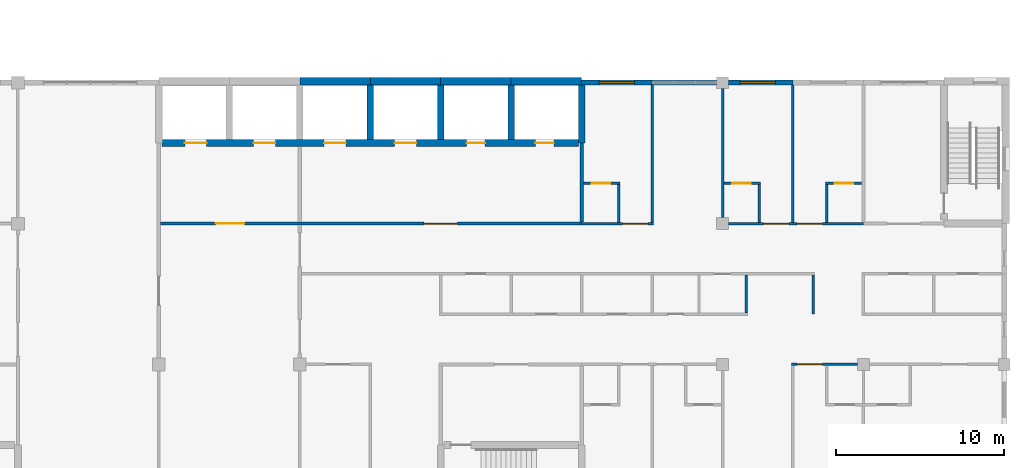
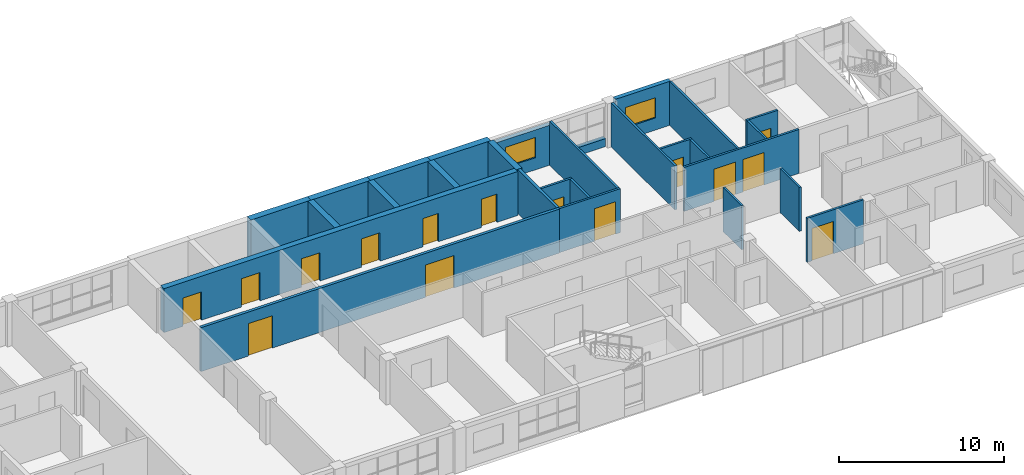
# One storey, part 36 of 45: 28 walls, 15 doors, 2 windows, 17 openings.
"""IFC4 building model written with IfcOpenShell, lengths in metres."""

from ifc_helpers import new_model, si_unit, direction, frame, frame_2d, origin, place, context, subcontext, project, spatial, rectangle, extrude, material, layer, layer_set, type_object, element, fill, save


model = new_model("IFC4")

# Units and contexts
model_context = context("Model", 3, precision=1e-05, world=origin(), true_north=direction((0.0, 1.0)))
body_context = subcontext(model_context, "Body", "Model", "MODEL_VIEW")
ifc_project = project(units=[si_unit("LENGTHUNIT", "METRE"), si_unit("AREAUNIT", "SQUARE_METRE"), si_unit("VOLUMEUNIT", "CUBIC_METRE"), si_unit("PLANEANGLEUNIT", "RADIAN"), si_unit("MASSUNIT", "GRAM", prefix="KILO")], contexts=[model_context])

# Site, building, storey
site_placement = place(None, origin())
site = spatial("IfcSite", under=ifc_project, at=site_placement, CompositionType="ELEMENT")
building_placement = place(site_placement, origin())
building = spatial("IfcBuilding", under=site, at=building_placement, Name="Yavir Park General Hospital", CompositionType="ELEMENT")
storey_placement = place(building_placement, frame((0.0, 0.0, 22.5)))
storey = spatial("IfcBuildingStorey", under=building, at=storey_placement, Name="L05", CompositionType="ELEMENT", Elevation=22.5)

# Wall, openings, doors
ifc_material_1 = material(Name="Double gypsum board fire partition on steel studs", Category="steel")
ifc_layer_1 = layer(ifc_material_1, 0.199951171875)
ifc_layer_set_1 = layer_set([ifc_layer_1], Name="Double gypsum board fire partition on steel studs")
wall_type_1 = type_object("IfcWallType", Name="Fire-rated partition 200, EI 60", PredefinedType="PARTITIONING", material=ifc_layer_set_1)
wall_1_placement = place(storey_placement, frame((117.699951171875, 16.800048828125, 0.0), z_axis=(0.0, 0.0, 1.0), x_axis=(1.0, 0.0, 0.0)))
wall_1 = element("IfcWall", 1, at=wall_1_placement, inside=storey, type_object=wall_type_1, Name="FP20 L05-037", PredefinedType="PARTITIONING", context=body_context, shape_type="SweptSolid", body=[
    extrude(rectangle(XDim=25.10009765625, YDim=0.199951171875, at=frame_2d((12.550048828125, 0.0))), origin(), (0.0, 0.0, 1.0), 3.260009765625),
])
opening_1_placement = place(wall_1_placement, frame((3.300048828125, 0.0, 0.0)))
opening_1 = element("IfcOpeningElement", 2, at=opening_1_placement, cuts=wall_1, Name="Opening L05.D040", PredefinedType="OPENING", context=body_context, shape_type="SweptSolid", body=[
    extrude(rectangle(XDim=1.699951171875, YDim=2.39990234375, at=frame_2d((0.85009765625, 1.199951171875))), frame((0.0, 0.10986328125, 0.0), z_axis=(0.0, -1.0, 0.0), x_axis=(1.0, 0.0, 0.0)), (0.0, 0.0, 1.0), 0.219970703125),
])
opening_2_placement = place(wall_1_placement, frame((15.699951171875, 0.0, 0.0)))
opening_2 = element("IfcOpeningElement", 3, at=opening_2_placement, cuts=wall_1, Name="Opening L05.D041", PredefinedType="OPENING", context=body_context, shape_type="SweptSolid", body=[
    extrude(rectangle(XDim=2.0, YDim=2.39990234375, at=frame_2d((1.0, 1.199951171875))), frame((0.0, 0.10986328125, 0.0), z_axis=(0.0, -1.0, 0.0), x_axis=(1.0, 0.0, 0.0)), (0.0, 0.0, 1.0), 0.219970703125),
])
ifc_material_2 = material(Name="Steel frame, fire-resisting timber leaves", Category="steel")
door_type_1 = type_object("IfcDoorType", Name="Double fire door 1700 x 2400, EI 60", OperationType="DOUBLE_DOOR_SINGLE_SWING", PredefinedType="DOOR", material=ifc_material_2)
door_1_placement = place(opening_1_placement, origin())
door_1 = element("IfcDoor", 4, at=door_1_placement, inside=storey, type_object=door_type_1, Name="L05.D040", OperationType="SINGLE_SWING_LEFT", OverallHeight=2.39990234375, OverallWidth=1.699951171875, PredefinedType="DOOR", context=body_context, shape_type="SweptSolid", body=[
    extrude(rectangle(XDim=1.699951171875, YDim=2.39990234375, at=frame_2d((0.85009765625, 1.199951171875))), frame((0.0, 0.02490234375, 0.0), z_axis=(0.0, -1.0, 0.0), x_axis=(1.0, 0.0, 0.0)), (0.0, 0.0, 1.0), 0.050048828125),
])
fill(opening_1, door_1)
ifc_material_3 = material(Name="Steel frame, fire-resisting leaves with vision panels", Category="steel")
door_type_2 = type_object("IfcDoorType", Name="Double fire door with vision panels 2000 x 2400, EI 60", OperationType="DOUBLE_DOOR_SINGLE_SWING", PredefinedType="DOOR", material=ifc_material_3)
door_2_placement = place(opening_2_placement, origin())
door_2 = element("IfcDoor", 5, at=door_2_placement, inside=storey, type_object=door_type_2, Name="L05.D041", OperationType="SINGLE_SWING_RIGHT", OverallHeight=2.39990234375, OverallWidth=2.0, PredefinedType="DOOR", context=body_context, shape_type="SweptSolid", body=[
    extrude(rectangle(XDim=2.0, YDim=2.39990234375, at=frame_2d((1.0, 1.199951171875))), frame((0.0, 0.030029296875, 0.0), z_axis=(0.0, -1.0, 0.0), x_axis=(1.0, 0.0, 0.0)), (0.0, 0.0, 1.0), 0.06005859375),
])
fill(opening_2, door_2)

# Wall
wall_2_placement = place(storey_placement, frame((142.800048828125, 16.89990234375, 0.0), z_axis=(0.0, 0.0, 1.0), x_axis=(0.0, 1.0, 0.0)))
element("IfcWall", 6, at=wall_2_placement, inside=storey, type_object=wall_type_1, Name="FP20 L05-248", PredefinedType="PARTITIONING", context=body_context, shape_type="SweptSolid", body=[
    extrude(rectangle(XDim=4.7001953125, YDim=0.199951171875, at=frame_2d((2.35009765625, 0.0))), origin(), (0.0, 0.0, 1.0), 3.260009765625),
])

# Wall, opening, door
ifc_material_4 = material(Name="Gypsum board partition on steel studs", Category="steel")
ifc_layer_2 = layer(ifc_material_4, 0.14990234375)
ifc_layer_set_2 = layer_set([ifc_layer_2], Name="Gypsum board partition on steel studs")
wall_type_2 = type_object("IfcWallType", Name="Gypsum board partition 150", PredefinedType="PARTITIONING", material=ifc_layer_set_2)
wall_3_placement = place(storey_placement, frame((155.324951171875, 8.39990234375, 0.0), z_axis=(0.0, 0.0, 1.0), x_axis=(1.0, 0.0, 0.0)))
wall_3 = element("IfcWall", 7, at=wall_3_placement, inside=storey, type_object=wall_type_2, Name="P15 L05-019", PredefinedType="PARTITIONING", context=body_context, shape_type="SweptSolid", body=[
    extrude(rectangle(XDim=3.925048828125, YDim=0.14990234375, at=frame_2d((1.96240234375, 0.0))), origin(), (0.0, 0.0, 1.0), 3.260009765625),
])
opening_3_placement = place(wall_3_placement, frame((0.324951171875, 0.0, 0.0)))
opening_3 = element("IfcOpeningElement", 8, at=opening_3_placement, cuts=wall_3, Name="Opening L05.D024", PredefinedType="OPENING", context=body_context, shape_type="SweptSolid", body=[
    extrude(rectangle(XDim=1.5, YDim=2.39990234375, at=frame_2d((0.75, 1.199951171875))), frame((0.0, 0.0849609375, 0.0), z_axis=(0.0, -1.0, 0.0), x_axis=(1.0, 0.0, 0.0)), (0.0, 0.0, 1.0), 0.169921875),
])
ifc_material_5 = material(Name="Solid-core timber leaves, push plates, kick plates", Category="wood")
door_type_3 = type_object("IfcDoorType", Name="Bed door, unequal leaves 1500 x 2400", OperationType="DOUBLE_DOOR_SINGLE_SWING", PredefinedType="DOOR", material=ifc_material_5)
door_3_placement = place(opening_3_placement, origin())
door_3 = element("IfcDoor", 9, at=door_3_placement, inside=storey, type_object=door_type_3, Name="L05.D024", OperationType="SINGLE_SWING_LEFT", OverallHeight=2.39990234375, OverallWidth=1.5, PredefinedType="DOOR", context=body_context, shape_type="SweptSolid", body=[
    extrude(rectangle(XDim=1.5, YDim=2.39990234375, at=frame_2d((0.75, 1.199951171875))), frame((0.0, 0.030029296875, 0.0), z_axis=(0.0, -1.0, 0.0), x_axis=(1.0, 0.0, 0.0)), (0.0, 0.0, 1.0), 0.06005859375),
])
fill(opening_3, door_3)

wall_4_placement = place(storey_placement, frame((142.800048828125, 16.800048828125, 0.0), z_axis=(0.0, 0.0, 1.0), x_axis=(1.0, 0.0, 0.0)))
wall_4 = element("IfcWall", 10, at=wall_4_placement, inside=storey, type_object=wall_type_2, Name="P15 L05-038", PredefinedType="PARTITIONING", context=body_context, shape_type="SweptSolid", body=[
    extrude(rectangle(XDim=4.27490234375, YDim=0.14990234375, at=frame_2d((2.137451171875, 0.0))), origin(), (0.0, 0.0, 1.0), 3.260009765625),
])
opening_4_placement = place(wall_4_placement, frame((2.449951171875, 0.0, 0.0)))
opening_4 = element("IfcOpeningElement", 11, at=opening_4_placement, cuts=wall_4, Name="Opening L05.D042", PredefinedType="OPENING", context=body_context, shape_type="SweptSolid", body=[
    extrude(rectangle(XDim=1.5, YDim=2.39990234375, at=frame_2d((0.75, 1.199951171875))), frame((0.0, 0.0849609375, 0.0), z_axis=(0.0, -1.0, 0.0), x_axis=(1.0, 0.0, 0.0)), (0.0, 0.0, 1.0), 0.169921875),
])
door_4_placement = place(opening_4_placement, origin())
door_4 = element("IfcDoor", 12, at=door_4_placement, inside=storey, type_object=door_type_3, Name="L05.D042", OperationType="SINGLE_SWING_RIGHT", OverallHeight=2.39990234375, OverallWidth=1.5, PredefinedType="DOOR", context=body_context, shape_type="SweptSolid", body=[
    extrude(rectangle(XDim=1.5, YDim=2.39990234375, at=frame_2d((0.75, 1.199951171875))), frame((0.0, 0.030029296875, 0.0), z_axis=(0.0, -1.0, 0.0), x_axis=(1.0, 0.0, 0.0)), (0.0, 0.0, 1.0), 0.06005859375),
])
fill(opening_4, door_4)

# Wall, openings, doors
wall_5_placement = place(storey_placement, frame((151.550048828125, 16.800048828125, 0.0), z_axis=(0.0, 0.0, 1.0), x_axis=(1.0, 0.0, 0.0)))
wall_5 = element("IfcWall", 13, at=wall_5_placement, inside=storey, type_object=wall_type_2, Name="P15 L05-039", PredefinedType="PARTITIONING", context=body_context, shape_type="SweptSolid", body=[
    extrude(rectangle(XDim=8.050048828125, YDim=0.14990234375, at=frame_2d((4.02490234375, 0.0))), origin(), (0.0, 0.0, 1.0), 3.260009765625),
])
opening_5_placement = place(wall_5_placement, frame((2.10009765625, 0.0, 0.0)))
opening_5 = element("IfcOpeningElement", 14, at=opening_5_placement, cuts=wall_5, Name="Opening L05.D043", PredefinedType="OPENING", context=body_context, shape_type="SweptSolid", body=[
    extrude(rectangle(XDim=1.5, YDim=2.39990234375, at=frame_2d((0.75, 1.199951171875))), frame((0.0, 0.0849609375, 0.0), z_axis=(0.0, -1.0, 0.0), x_axis=(1.0, 0.0, 0.0)), (0.0, 0.0, 1.0), 0.169921875),
])
opening_6_placement = place(wall_5_placement, frame((4.10009765625, 0.0, 0.0)))
opening_6 = element("IfcOpeningElement", 15, at=opening_6_placement, cuts=wall_5, Name="Opening L05.D044", PredefinedType="OPENING", context=body_context, shape_type="SweptSolid", body=[
    extrude(rectangle(XDim=1.5, YDim=2.39990234375, at=frame_2d((0.75, 1.199951171875))), frame((0.0, 0.0849609375, 0.0), z_axis=(0.0, -1.0, 0.0), x_axis=(1.0, 0.0, 0.0)), (0.0, 0.0, 1.0), 0.169921875),
])
door_5_placement = place(opening_5_placement, origin())
door_5 = element("IfcDoor", 16, at=door_5_placement, inside=storey, type_object=door_type_3, Name="L05.D043", OperationType="SINGLE_SWING_RIGHT", OverallHeight=2.39990234375, OverallWidth=1.5, PredefinedType="DOOR", context=body_context, shape_type="SweptSolid", body=[
    extrude(rectangle(XDim=1.5, YDim=2.39990234375, at=frame_2d((0.75, 1.199951171875))), frame((0.0, 0.030029296875, 0.0), z_axis=(0.0, -1.0, 0.0), x_axis=(1.0, 0.0, 0.0)), (0.0, 0.0, 1.0), 0.06005859375),
])
fill(opening_5, door_5)
door_6_placement = place(opening_6_placement, origin())
door_6 = element("IfcDoor", 17, at=door_6_placement, inside=storey, type_object=door_type_3, Name="L05.D044", OperationType="SINGLE_SWING_RIGHT", OverallHeight=2.39990234375, OverallWidth=1.5, PredefinedType="DOOR", context=body_context, shape_type="SweptSolid", body=[
    extrude(rectangle(XDim=1.5, YDim=2.39990234375, at=frame_2d((0.75, 1.199951171875))), frame((0.0, 0.030029296875, 0.0), z_axis=(0.0, -1.0, 0.0), x_axis=(1.0, 0.0, 0.0)), (0.0, 0.0, 1.0), 0.06005859375),
])
fill(opening_6, door_6)

# Wall, opening, door
wall_6_placement = place(storey_placement, frame((142.89990234375, 19.199951171875, 0.0), z_axis=(0.0, 0.0, 1.0), x_axis=(1.0, 0.0, 0.0)))
wall_6 = element("IfcWall", 18, at=wall_6_placement, inside=storey, type_object=wall_type_2, Name="P15 L05-045", PredefinedType="PARTITIONING", context=body_context, shape_type="SweptSolid", body=[
    extrude(rectangle(XDim=2.175048828125, YDim=0.14990234375, at=frame_2d((1.08740234375, 0.0))), origin(), (0.0, 0.0, 1.0), 3.260009765625),
])
opening_7_placement = place(wall_6_placement, frame((0.5, 0.0, 0.0)))
opening_7 = element("IfcOpeningElement", 19, at=opening_7_placement, cuts=wall_6, Name="Opening L05.D050", PredefinedType="OPENING", context=body_context, shape_type="SweptSolid", body=[
    extrude(rectangle(XDim=1.10009765625, YDim=2.10009765625, at=frame_2d((0.550048828125, 1.050048828125))), frame((0.0, 0.0849609375, 0.0), z_axis=(0.0, -1.0, 0.0), x_axis=(1.0, 0.0, 0.0)), (0.0, 0.0, 1.0), 0.169921875),
])
ifc_material_6 = material(Name="Hollow metal frame, solid-core timber leaf", Category="wood")
door_type_4 = type_object("IfcDoorType", Name="Single swing door 1100 x 2100", OperationType="SINGLE_SWING_LEFT", PredefinedType="DOOR", material=ifc_material_6)
door_7_placement = place(opening_7_placement, origin())
door_7 = element("IfcDoor", 20, at=door_7_placement, inside=storey, type_object=door_type_4, Name="L05.D050", OperationType="SINGLE_SWING_RIGHT", OverallHeight=2.10009765625, OverallWidth=1.10009765625, PredefinedType="DOOR", context=body_context, shape_type="SweptSolid", body=[
    extrude(rectangle(XDim=1.10009765625, YDim=2.10009765625, at=frame_2d((0.550048828125, 1.050048828125))), frame((0.0, 0.02490234375, 0.0), z_axis=(0.0, -1.0, 0.0), x_axis=(1.0, 0.0, 0.0)), (0.0, 0.0, 1.0), 0.050048828125),
])
fill(opening_7, door_7)

wall_7_placement = place(storey_placement, frame((151.27490234375, 19.199951171875, 0.0), z_axis=(0.0, 0.0, 1.0), x_axis=(1.0, 0.0, 0.0)))
wall_7 = element("IfcWall", 21, at=wall_7_placement, inside=storey, type_object=wall_type_2, Name="P15 L05-046", PredefinedType="PARTITIONING", context=body_context, shape_type="SweptSolid", body=[
    extrude(rectangle(XDim=2.2001953125, YDim=0.14990234375, at=frame_2d((1.10009765625, 0.0))), origin(), (0.0, 0.0, 1.0), 3.260009765625),
])
opening_8_placement = place(wall_7_placement, frame((0.512451171875, 0.0, 0.0)))
opening_8 = element("IfcOpeningElement", 22, at=opening_8_placement, cuts=wall_7, Name="Opening L05.D051", PredefinedType="OPENING", context=body_context, shape_type="SweptSolid", body=[
    extrude(rectangle(XDim=1.10009765625, YDim=2.10009765625, at=frame_2d((0.550048828125, 1.050048828125))), frame((0.0, 0.0849609375, 0.0), z_axis=(0.0, -1.0, 0.0), x_axis=(1.0, 0.0, 0.0)), (0.0, 0.0, 1.0), 0.169921875),
])
door_8_placement = place(opening_8_placement, origin())
door_8 = element("IfcDoor", 23, at=door_8_placement, inside=storey, type_object=door_type_4, Name="L05.D051", OperationType="SINGLE_SWING_RIGHT", OverallHeight=2.10009765625, OverallWidth=1.10009765625, PredefinedType="DOOR", context=body_context, shape_type="SweptSolid", body=[
    extrude(rectangle(XDim=1.10009765625, YDim=2.10009765625, at=frame_2d((0.550048828125, 1.050048828125))), frame((0.0, 0.02490234375, 0.0), z_axis=(0.0, -1.0, 0.0), x_axis=(1.0, 0.0, 0.0)), (0.0, 0.0, 1.0), 0.050048828125),
])
fill(opening_8, door_8)

wall_8_placement = place(storey_placement, frame((157.324951171875, 19.199951171875, 0.0), z_axis=(0.0, 0.0, 1.0), x_axis=(1.0, 0.0, 0.0)))
wall_8 = element("IfcWall", 24, at=wall_8_placement, inside=storey, type_object=wall_type_2, Name="P15 L05-047", PredefinedType="PARTITIONING", context=body_context, shape_type="SweptSolid", body=[
    extrude(rectangle(XDim=2.175048828125, YDim=0.14990234375, at=frame_2d((1.08740234375, 0.0))), origin(), (0.0, 0.0, 1.0), 3.260009765625),
])
opening_9_placement = place(wall_8_placement, frame((0.574951171875, 0.0, 0.0)))
opening_9 = element("IfcOpeningElement", 25, at=opening_9_placement, cuts=wall_8, Name="Opening L05.D052", PredefinedType="OPENING", context=body_context, shape_type="SweptSolid", body=[
    extrude(rectangle(XDim=1.10009765625, YDim=2.10009765625, at=frame_2d((0.550048828125, 1.050048828125))), frame((0.0, 0.0849609375, 0.0), z_axis=(0.0, -1.0, 0.0), x_axis=(1.0, 0.0, 0.0)), (0.0, 0.0, 1.0), 0.169921875),
])
door_9_placement = place(opening_9_placement, origin())
door_9 = element("IfcDoor", 26, at=door_9_placement, inside=storey, type_object=door_type_4, Name="L05.D052", OperationType="SINGLE_SWING_LEFT", OverallHeight=2.10009765625, OverallWidth=1.10009765625, PredefinedType="DOOR", context=body_context, shape_type="SweptSolid", body=[
    extrude(rectangle(XDim=1.10009765625, YDim=2.10009765625, at=frame_2d((0.550048828125, 1.050048828125))), frame((0.0, 0.02490234375, 0.0), z_axis=(0.0, -1.0, 0.0), x_axis=(1.0, 0.0, 0.0)), (0.0, 0.0, 1.0), 0.050048828125),
])
fill(opening_9, door_9)

# Walls
wall_9_placement = place(storey_placement, frame((145.0, 16.875, 0.0), z_axis=(0.0, 0.0, 1.0), x_axis=(0.0, 1.0, 0.0)))
element("IfcWall", 27, at=wall_9_placement, inside=storey, type_object=wall_type_2, Name="P15 L05-251", PredefinedType="PARTITIONING", context=body_context, shape_type="SweptSolid", body=[
    extrude(rectangle(XDim=2.25, YDim=0.14990234375, at=frame_2d((1.125, 0.0))), origin(), (0.0, 0.0, 1.0), 3.260009765625),
])
wall_10_placement = place(storey_placement, frame((147.0, 16.875, 0.0), z_axis=(0.0, 0.0, 1.0), x_axis=(0.0, 1.0, 0.0)))
element("IfcWall", 28, at=wall_10_placement, inside=storey, type_object=wall_type_2, Name="P15 L05-254", PredefinedType="PARTITIONING", context=body_context, shape_type="SweptSolid", body=[
    extrude(rectangle(XDim=8.175048828125, YDim=0.14990234375, at=frame_2d((4.08740234375, 0.0))), origin(), (0.0, 0.0, 1.0), 3.260009765625),
])
wall_11_placement = place(storey_placement, frame((151.199951171875, 17.14990234375, 0.0), z_axis=(0.0, 0.0, 1.0), x_axis=(0.0, 1.0, 0.0)))
element("IfcWall", 29, at=wall_11_placement, inside=storey, type_object=wall_type_2, Name="P15 L05-258", PredefinedType="PARTITIONING", context=body_context, shape_type="SweptSolid", body=[
    extrude(rectangle(XDim=7.7001953125, YDim=0.14990234375, at=frame_2d((3.85009765625, 0.0))), origin(), (0.0, 0.0, 1.0), 3.260009765625),
])
for number, where, z_axis, x_axis, name in (
    (30, (152.60009765625, 11.47509765625, 0.0), (0.0, 0.0, 1.0), (0.0, 1.0, 0.0), "P15 L05-259"),
    (31, (153.39990234375, 16.875, 0.0), (0.0, 0.0, 1.0), (0.0, 1.0, 0.0), "P15 L05-260"),
):
    element("IfcWall", number, at=place(storey_placement, frame(where, z_axis=z_axis, x_axis=x_axis)), inside=storey, type_object=wall_type_2, Name=name, PredefinedType="PARTITIONING", context=body_context, shape_type="SweptSolid", body=[
        extrude(rectangle(XDim=2.25, YDim=0.14990234375, at=frame_2d((1.125, 0.0))), origin(), (0.0, 0.0, 1.0), 3.260009765625),
    ])
wall_12_placement = place(storey_placement, frame((155.39990234375, 16.875, 0.0), z_axis=(0.0, 0.0, 1.0), x_axis=(0.0, 1.0, 0.0)))
element("IfcWall", 32, at=wall_12_placement, inside=storey, type_object=wall_type_2, Name="P15 L05-262", PredefinedType="PARTITIONING", context=body_context, shape_type="SweptSolid", body=[
    extrude(rectangle(XDim=8.175048828125, YDim=0.14990234375, at=frame_2d((4.08740234375, 0.0))), origin(), (0.0, 0.0, 1.0), 3.260009765625),
])
wall_13_placement = place(storey_placement, frame((156.60009765625, 11.39990234375, 0.0), z_axis=(0.0, 0.0, 1.0), x_axis=(0.0, 1.0, 0.0)))
element("IfcWall", 33, at=wall_13_placement, inside=storey, type_object=wall_type_2, Name="P15 L05-263", PredefinedType="PARTITIONING", context=body_context, shape_type="SweptSolid", body=[
    extrude(rectangle(XDim=2.3251953125, YDim=0.14990234375, at=frame_2d((1.16259765625, 0.0))), origin(), (0.0, 0.0, 1.0), 3.260009765625),
])
wall_14_placement = place(storey_placement, frame((157.39990234375, 16.875, 0.0), z_axis=(0.0, 0.0, 1.0), x_axis=(0.0, 1.0, 0.0)))
element("IfcWall", 34, at=wall_14_placement, inside=storey, type_object=wall_type_2, Name="P15 L05-265", PredefinedType="PARTITIONING", context=body_context, shape_type="SweptSolid", body=[
    extrude(rectangle(XDim=2.25, YDim=0.14990234375, at=frame_2d((1.125, 0.0))), origin(), (0.0, 0.0, 1.0), 3.260009765625),
])

# Wall, opening, window
ifc_material_7 = material(Name="Autoclaved aerated block, mineral wool and ochre mineral render")
ifc_layer_3 = layer(ifc_material_7, 0.300048828125)
ifc_layer_set_3 = layer_set([ifc_layer_3], Name="Autoclaved aerated block, mineral wool and ochre mineral render")
wall_type_3 = type_object("IfcWallType", Name="Ochre render ward wall 300, E 30", PredefinedType="SOLIDWALL", material=ifc_layer_set_3)
wall_15_placement = place(storey_placement, frame((142.800048828125, 25.199951171875, 0.0), z_axis=(0.0, 0.0, 1.0), x_axis=(1.0, 0.0, 0.0)))
wall_15 = element("IfcWall", 35, at=wall_15_placement, inside=storey, type_object=wall_type_3, Name="XW7 L05-048", PredefinedType="SOLIDWALL", context=body_context, shape_type="SweptSolid", body=[
    extrude(rectangle(XDim=4.199951171875, YDim=0.300048828125, at=frame_2d((2.10009765625, 0.0))), origin(), (0.0, 0.0, 1.0), 2.9599609375),
])
opening_10_placement = place(wall_15_placement, frame((1.050048828125, 0.0, 0.89990234375)))
opening_10 = element("IfcOpeningElement", 36, at=opening_10_placement, cuts=wall_15, Name="Opening WAR", PredefinedType="OPENING", context=body_context, shape_type="SweptSolid", body=[
    extrude(rectangle(XDim=2.10009765625, YDim=1.5, at=frame_2d((1.050048828125, 0.75))), frame((0.0, 0.159912109375, 0.0), z_axis=(0.0, -1.0, 0.0), x_axis=(1.0, 0.0, 0.0)), (0.0, 0.0, 1.0), 0.320068359375),
])
ifc_material_8 = material(Name="Aluminium frame, tilt-and-turn sash with opening restrictor, double glazed unit", Category="aluminium")
window_type = type_object("IfcWindowType", Name="Ward window, restricted opening 2100 x 1500", PartitioningType="DOUBLE_PANEL_VERTICAL", PredefinedType="WINDOW", material=ifc_material_8)
window_1_placement = place(opening_10_placement, origin())
window_1 = element("IfcWindow", 37, at=window_1_placement, inside=storey, type_object=window_type, Name="WAR L05-016", OverallHeight=1.5, OverallWidth=2.10009765625, PartitioningType="DOUBLE_PANEL_VERTICAL", PredefinedType="WINDOW", context=body_context, shape_type="SweptSolid", body=[
    extrude(rectangle(XDim=2.10009765625, YDim=1.5, at=frame_2d((1.050048828125, 0.75))), frame((0.0, 0.050048828125, 0.0), z_axis=(0.0, -1.0, 0.0), x_axis=(1.0, 0.0, 0.0)), (0.0, 0.0, 1.0), 0.10009765625),
])
fill(opening_10, window_1)

# Wall
wall_16_placement = place(storey_placement, frame((147.0, 25.199951171875, 0.0), z_axis=(0.0, 0.0, 1.0), x_axis=(1.0, 0.0, 0.0)))
element("IfcWall", 38, at=wall_16_placement, inside=storey, type_object=wall_type_3, Name="XW7 L05-049", PredefinedType="SOLIDWALL", context=body_context, shape_type="SweptSolid", body=[
    extrude(rectangle(XDim=3.85009765625, YDim=0.300048828125, at=frame_2d((1.925048828125, 0.0))), origin(), (0.0, 0.0, 1.0), 0.60009765625),
])

# Wall, opening, window
wall_17_placement = place(storey_placement, frame((151.550048828125, 25.199951171875, 0.0), z_axis=(0.0, 0.0, 1.0), x_axis=(1.0, 0.0, 0.0)))
wall_17 = element("IfcWall", 39, at=wall_17_placement, inside=storey, type_object=wall_type_3, Name="XW7 L05-050", PredefinedType="SOLIDWALL", context=body_context, shape_type="SweptSolid", body=[
    extrude(rectangle(XDim=3.849853515625, YDim=0.300048828125, at=frame_2d((1.9248046875, 0.0))), origin(), (0.0, 0.0, 1.0), 3.260009765625),
])
opening_11_placement = place(wall_17_placement, frame((0.699951171875, 0.0, 0.89990234375)))
opening_11 = element("IfcOpeningElement", 40, at=opening_11_placement, cuts=wall_17, Name="Opening WAR", PredefinedType="OPENING", context=body_context, shape_type="SweptSolid", body=[
    extrude(rectangle(XDim=2.10009765625, YDim=1.5, at=frame_2d((1.050048828125, 0.75))), frame((0.0, 0.159912109375, 0.0), z_axis=(0.0, -1.0, 0.0), x_axis=(1.0, 0.0, 0.0)), (0.0, 0.0, 1.0), 0.320068359375),
])
window_2_placement = place(opening_11_placement, origin())
window_2 = element("IfcWindow", 41, at=window_2_placement, inside=storey, type_object=window_type, Name="WAR L05-017", OverallHeight=1.5, OverallWidth=2.10009765625, PartitioningType="DOUBLE_PANEL_VERTICAL", PredefinedType="WINDOW", context=body_context, shape_type="SweptSolid", body=[
    extrude(rectangle(XDim=2.10009765625, YDim=1.5, at=frame_2d((1.050048828125, 0.75))), frame((0.0, 0.050048828125, 0.0), z_axis=(0.0, -1.0, 0.0), x_axis=(1.0, 0.0, 0.0)), (0.0, 0.0, 1.0), 0.10009765625),
])
fill(opening_11, window_2)

# Wall, openings, doors
ifc_material_9 = material(Name="Concrete C35/45", Category="concrete")
ifc_layer_4 = layer(ifc_material_9, 0.39990234375)
ifc_layer_set_4 = layer_set([ifc_layer_4], Name="Concrete C35/45")
wall_type_4 = type_object("IfcWallType", Name="Reinforced concrete core wall 400, REI 150", PredefinedType="SHEAR", material=ifc_layer_set_4)
wall_18_placement = place(storey_placement, frame((117.800048828125, 21.60009765625, 0.0), z_axis=(0.0, 0.0, 1.0), x_axis=(1.0, 0.0, 0.0)))
wall_18 = element("IfcWall", 42, at=wall_18_placement, inside=storey, type_object=wall_type_4, Name="CW40 L05-049", PredefinedType="SHEAR", context=body_context, shape_type="SweptSolid", body=[
    extrude(rectangle(XDim=24.800048828125, YDim=0.39990234375, at=frame_2d((12.39990234375, 0.0))), origin(), (0.0, 0.0, 1.0), 3.260009765625),
])
opening_12_placement = place(wall_18_placement, frame((1.35009765625, 0.0, 0.0)))
opening_12 = element("IfcOpeningElement", 43, at=opening_12_placement, cuts=wall_18, Name="Opening L05.D055", PredefinedType="OPENING", context=body_context, shape_type="SweptSolid", body=[
    extrude(rectangle(XDim=1.300048828125, YDim=2.10009765625, at=frame_2d((0.64990234375, 1.050048828125))), frame((0.0, 0.2099609375, 0.0), z_axis=(0.0, -1.0, 0.0), x_axis=(1.0, 0.0, 0.0)), (0.0, 0.0, 1.0), 0.419921875),
])
opening_13_placement = place(wall_18_placement, frame((5.449951171875, 0.0, 0.0)))
opening_13 = element("IfcOpeningElement", 44, at=opening_13_placement, cuts=wall_18, Name="Opening L05.D056", PredefinedType="OPENING", context=body_context, shape_type="SweptSolid", body=[
    extrude(rectangle(XDim=1.300048828125, YDim=2.10009765625, at=frame_2d((0.64990234375, 1.050048828125))), frame((0.0, 0.2099609375, 0.0), z_axis=(0.0, -1.0, 0.0), x_axis=(1.0, 0.0, 0.0)), (0.0, 0.0, 1.0), 0.419921875),
])
opening_14_placement = place(wall_18_placement, frame((9.64990234375, 0.0, 0.0)))
opening_14 = element("IfcOpeningElement", 45, at=opening_14_placement, cuts=wall_18, Name="Opening L05.D057", PredefinedType="OPENING", context=body_context, shape_type="SweptSolid", body=[
    extrude(rectangle(XDim=1.300048828125, YDim=2.10009765625, at=frame_2d((0.64990234375, 1.050048828125))), frame((0.0, 0.2099609375, 0.0), z_axis=(0.0, -1.0, 0.0), x_axis=(1.0, 0.0, 0.0)), (0.0, 0.0, 1.0), 0.419921875),
])
opening_15_placement = place(wall_18_placement, frame((13.85009765625, 0.0, 0.0)))
opening_15 = element("IfcOpeningElement", 46, at=opening_15_placement, cuts=wall_18, Name="Opening L05.D058", PredefinedType="OPENING", context=body_context, shape_type="SweptSolid", body=[
    extrude(rectangle(XDim=1.300048828125, YDim=2.10009765625, at=frame_2d((0.64990234375, 1.050048828125))), frame((0.0, 0.2099609375, 0.0), z_axis=(0.0, -1.0, 0.0), x_axis=(1.0, 0.0, 0.0)), (0.0, 0.0, 1.0), 0.419921875),
])
opening_16_placement = place(wall_18_placement, frame((18.14990234375, 0.0, 0.0)))
opening_16 = element("IfcOpeningElement", 47, at=opening_16_placement, cuts=wall_18, Name="Opening L05.D059", PredefinedType="OPENING", context=body_context, shape_type="SweptSolid", body=[
    extrude(rectangle(XDim=1.10009765625, YDim=2.10009765625, at=frame_2d((0.550048828125, 1.050048828125))), frame((0.0, 0.2099609375, 0.0), z_axis=(0.0, -1.0, 0.0), x_axis=(1.0, 0.0, 0.0)), (0.0, 0.0, 1.0), 0.419921875),
])
opening_17_placement = place(wall_18_placement, frame((22.25, 0.0, 0.0)))
opening_17 = element("IfcOpeningElement", 48, at=opening_17_placement, cuts=wall_18, Name="Opening L05.D060", PredefinedType="OPENING", context=body_context, shape_type="SweptSolid", body=[
    extrude(rectangle(XDim=1.10009765625, YDim=2.10009765625, at=frame_2d((0.550048828125, 1.050048828125))), frame((0.0, 0.2099609375, 0.0), z_axis=(0.0, -1.0, 0.0), x_axis=(1.0, 0.0, 0.0)), (0.0, 0.0, 1.0), 0.419921875),
])
ifc_material_10 = material(Name="Stainless steel landing door panels", Category="steel")
door_type_5 = type_object("IfcDoorType", Name="Lift landing door 1100 x 2100, EI 60", OperationType="SLIDING_TO_LEFT", PredefinedType="DOOR", material=ifc_material_10)
door_10_placement = place(opening_16_placement, origin())
door_10 = element("IfcDoor", 49, at=door_10_placement, inside=storey, type_object=door_type_5, Name="L05.D059", OperationType="SLIDING_TO_LEFT", OverallHeight=2.10009765625, OverallWidth=1.10009765625, PredefinedType="DOOR", context=body_context, shape_type="SweptSolid", body=[
    extrude(rectangle(XDim=1.10009765625, YDim=2.10009765625, at=frame_2d((0.550048828125, 1.050048828125))), frame((0.0, 0.02490234375, 0.0), z_axis=(0.0, -1.0, 0.0), x_axis=(1.0, 0.0, 0.0)), (0.0, 0.0, 1.0), 0.050048828125),
])
fill(opening_16, door_10)
door_11_placement = place(opening_17_placement, origin())
door_11 = element("IfcDoor", 50, at=door_11_placement, inside=storey, type_object=door_type_5, Name="L05.D060", OperationType="SLIDING_TO_LEFT", OverallHeight=2.10009765625, OverallWidth=1.10009765625, PredefinedType="DOOR", context=body_context, shape_type="SweptSolid", body=[
    extrude(rectangle(XDim=1.10009765625, YDim=2.10009765625, at=frame_2d((0.550048828125, 1.050048828125))), frame((0.0, 0.02490234375, 0.0), z_axis=(0.0, -1.0, 0.0), x_axis=(1.0, 0.0, 0.0)), (0.0, 0.0, 1.0), 0.050048828125),
])
fill(opening_17, door_11)
ifc_material_11 = material(Name="Stainless steel landing door panels", Category="steel")
door_type_6 = type_object("IfcDoorType", Name="Lift landing door 1300 x 2100, EI 60", OperationType="SLIDING_TO_LEFT", PredefinedType="DOOR", material=ifc_material_11)
door_12_placement = place(opening_12_placement, origin())
door_12 = element("IfcDoor", 51, at=door_12_placement, inside=storey, type_object=door_type_6, Name="L05.D055", OperationType="SLIDING_TO_LEFT", OverallHeight=2.10009765625, OverallWidth=1.300048828125, PredefinedType="DOOR", context=body_context, shape_type="SweptSolid", body=[
    extrude(rectangle(XDim=1.300048828125, YDim=2.10009765625, at=frame_2d((0.64990234375, 1.050048828125))), frame((0.0, 0.02490234375, 0.0), z_axis=(0.0, -1.0, 0.0), x_axis=(1.0, 0.0, 0.0)), (0.0, 0.0, 1.0), 0.050048828125),
])
fill(opening_12, door_12)
door_13_placement = place(opening_13_placement, origin())
door_13 = element("IfcDoor", 52, at=door_13_placement, inside=storey, type_object=door_type_6, Name="L05.D056", OperationType="SLIDING_TO_LEFT", OverallHeight=2.10009765625, OverallWidth=1.300048828125, PredefinedType="DOOR", context=body_context, shape_type="SweptSolid", body=[
    extrude(rectangle(XDim=1.300048828125, YDim=2.10009765625, at=frame_2d((0.64990234375, 1.050048828125))), frame((0.0, 0.02490234375, 0.0), z_axis=(0.0, -1.0, 0.0), x_axis=(1.0, 0.0, 0.0)), (0.0, 0.0, 1.0), 0.050048828125),
])
fill(opening_13, door_13)
door_14_placement = place(opening_14_placement, origin())
door_14 = element("IfcDoor", 53, at=door_14_placement, inside=storey, type_object=door_type_6, Name="L05.D057", OperationType="SLIDING_TO_LEFT", OverallHeight=2.10009765625, OverallWidth=1.300048828125, PredefinedType="DOOR", context=body_context, shape_type="SweptSolid", body=[
    extrude(rectangle(XDim=1.300048828125, YDim=2.10009765625, at=frame_2d((0.64990234375, 1.050048828125))), frame((0.0, 0.02490234375, 0.0), z_axis=(0.0, -1.0, 0.0), x_axis=(1.0, 0.0, 0.0)), (0.0, 0.0, 1.0), 0.050048828125),
])
fill(opening_14, door_14)
door_15_placement = place(opening_15_placement, origin())
door_15 = element("IfcDoor", 54, at=door_15_placement, inside=storey, type_object=door_type_6, Name="L05.D058", OperationType="SLIDING_TO_LEFT", OverallHeight=2.10009765625, OverallWidth=1.300048828125, PredefinedType="DOOR", context=body_context, shape_type="SweptSolid", body=[
    extrude(rectangle(XDim=1.300048828125, YDim=2.10009765625, at=frame_2d((0.64990234375, 1.050048828125))), frame((0.0, 0.02490234375, 0.0), z_axis=(0.0, -1.0, 0.0), x_axis=(1.0, 0.0, 0.0)), (0.0, 0.0, 1.0), 0.050048828125),
])
fill(opening_15, door_15)

# Walls
for number, where, z_axis, x_axis, name in (
    (55, (130.199951171875, 21.800048828125, 0.0), (0.0, 0.0, 1.0), (0.0, 1.0, 0.0), "CW40 L05-238"),
    (56, (134.39990234375, 21.800048828125, 0.0), (0.0, 0.0, 1.0), (0.0, 1.0, 0.0), "CW40 L05-242"),
    (57, (138.60009765625, 21.800048828125, 0.0), (0.0, 0.0, 1.0), (0.0, 1.0, 0.0), "CW40 L05-244"),
):
    element("IfcWall", number, at=place(storey_placement, frame(where, z_axis=z_axis, x_axis=x_axis)), inside=storey, type_object=wall_type_4, Name=name, PredefinedType="SHEAR", context=body_context, shape_type="SweptSolid", body=[
        extrude(rectangle(XDim=3.25, YDim=0.39990234375, at=frame_2d((1.625, 0.0))), origin(), (0.0, 0.0, 1.0), 3.260009765625),
    ])
wall_19_placement = place(storey_placement, frame((142.800048828125, 21.60009765625, 0.0), z_axis=(0.0, 0.0, 1.0), x_axis=(0.0, 1.0, 0.0)))
element("IfcWall", 58, at=wall_19_placement, inside=storey, type_object=wall_type_4, Name="CW40 L05-249", PredefinedType="SHEAR", context=body_context, shape_type="SweptSolid", body=[
    extrude(rectangle(XDim=3.449951171875, YDim=0.39990234375, at=frame_2d((1.72509765625, 0.0))), origin(), (0.0, 0.0, 1.0), 3.260009765625),
])
ifc_material_12 = material(Name="Concrete C30/37 precast panel with 150 mm mineral wool insulation", Category="concrete")
ifc_layer_5 = layer(ifc_material_12, 0.449951171875)
ifc_layer_set_5 = layer_set([ifc_layer_5], Name="Concrete C30/37 precast panel with 150 mm mineral wool insulation")
wall_type_5 = type_object("IfcWallType", Name="Stair enclosure wall 450, REI 150", PredefinedType="SOLIDWALL", material=ifc_layer_set_5)
for number, where, z_axis, x_axis, name in (
    (59, (126.0, 25.27490234375, 0.0), (0.0, 0.0, 1.0), (1.0, 0.0, 0.0), "XW6 L05-044"),
    (60, (130.199951171875, 25.27490234375, 0.0), (0.0, 0.0, 1.0), (1.0, 0.0, 0.0), "XW6 L05-045"),
):
    element("IfcWall", number, at=place(storey_placement, frame(where, z_axis=z_axis, x_axis=x_axis)), inside=storey, type_object=wall_type_5, Name=name, PredefinedType="SOLIDWALL", context=body_context, shape_type="SweptSolid", body=[
        extrude(rectangle(XDim=4.199951171875, YDim=0.449951171875, at=frame_2d((2.10009765625, 0.0))), origin(), (0.0, 0.0, 1.0), 3.260009765625),
    ])
wall_20_placement = place(storey_placement, frame((134.39990234375, 25.27490234375, 0.0), z_axis=(0.0, 0.0, 1.0), x_axis=(1.0, 0.0, 0.0)))
element("IfcWall", 61, at=wall_20_placement, inside=storey, type_object=wall_type_5, Name="XW6 L05-046", PredefinedType="SOLIDWALL", context=body_context, shape_type="SweptSolid", body=[
    extrude(rectangle(XDim=4.2001953125, YDim=0.449951171875, at=frame_2d((2.10009765625, 0.0))), origin(), (0.0, 0.0, 1.0), 3.260009765625),
])
wall_21_placement = place(storey_placement, frame((138.60009765625, 25.27490234375, 0.0), z_axis=(0.0, 0.0, 1.0), x_axis=(1.0, 0.0, 0.0)))
element("IfcWall", 62, at=wall_21_placement, inside=storey, type_object=wall_type_5, Name="XW6 L05-047", PredefinedType="SOLIDWALL", context=body_context, shape_type="SweptSolid", body=[
    extrude(rectangle(XDim=4.199951171875, YDim=0.449951171875, at=frame_2d((2.10009765625, 0.0))), origin(), (0.0, 0.0, 1.0), 3.260009765625),
])

save(model, "model.ifc")
